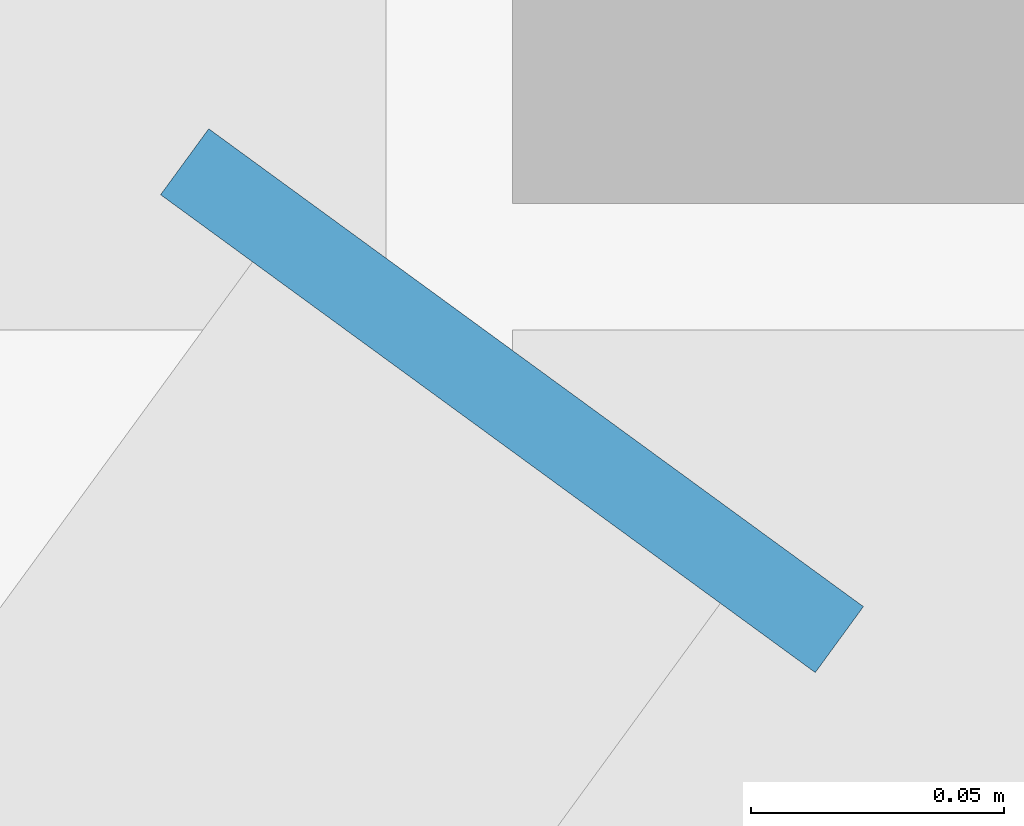
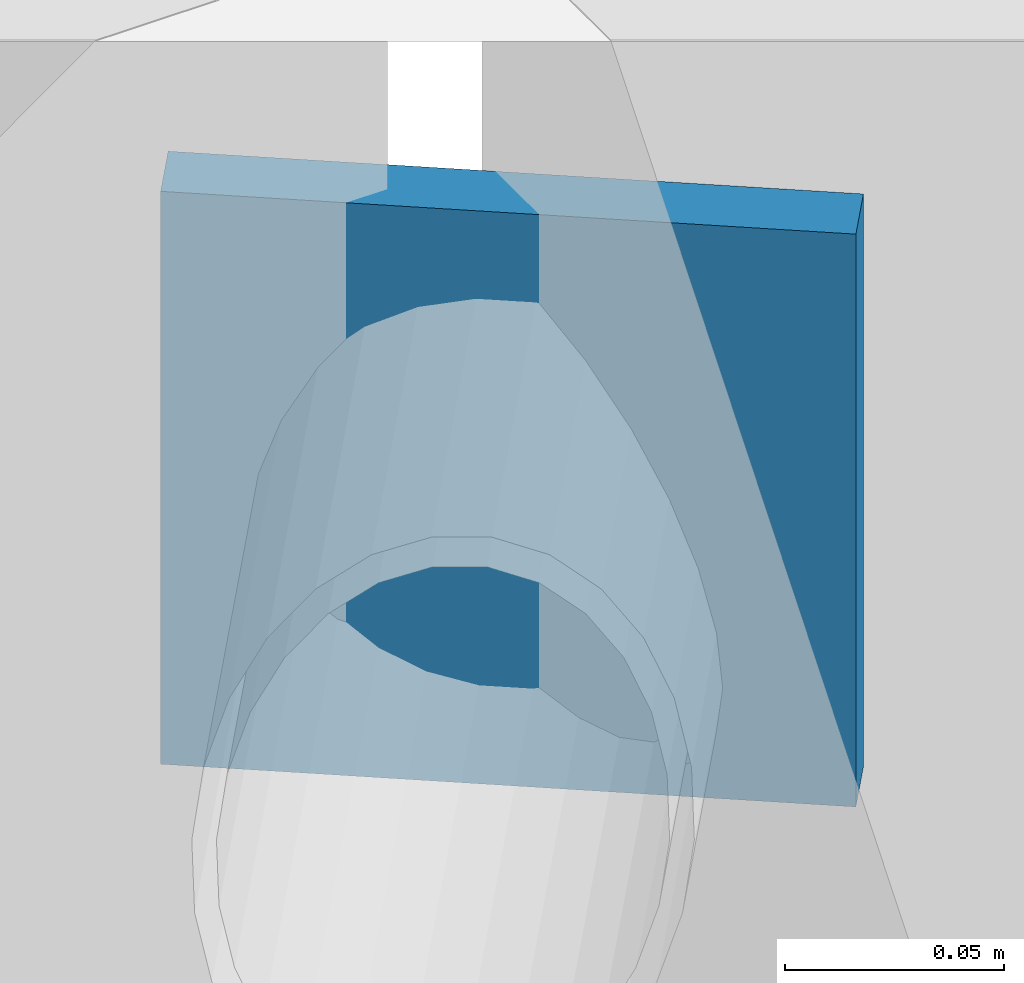
# One storey, part 53 of 95: 1 plate.
"""IFC4 building model written with IfcOpenShell, lengths in metres."""

from ifc_helpers import new_model, si_unit, derived_unit, direction, frame, origin, origin_2d, place, context, subcontext, project, spatial, rectangle, extrude, material, layer, layer_set, type_object, element, save


model = new_model("IFC4")

# Units and contexts
model_context = context("Model", 3, precision=1e-05, world=origin(), true_north=direction((0.0, 1.0)))
body_context = subcontext(model_context, "Body", "Model", "MODEL_VIEW")
ifc_project = project(units=[si_unit("LENGTHUNIT", "METRE"), si_unit("AREAUNIT", "SQUARE_METRE"), si_unit("VOLUMEUNIT", "CUBIC_METRE"), si_unit("PLANEANGLEUNIT", "RADIAN"), si_unit("MASSUNIT", "GRAM", prefix="KILO"), derived_unit("THERMALTRANSMITTANCEUNIT", [(si_unit("POWERUNIT", "WATT"), 1), (si_unit("LENGTHUNIT", "METRE"), -2), (si_unit("THERMODYNAMICTEMPERATUREUNIT", "KELVIN"), -1)])], contexts=[model_context])

# Site, building, storey
site_placement = place(None, origin())
site = spatial("IfcSite", under=ifc_project, at=site_placement, CompositionType="ELEMENT")
building_placement = place(site_placement, origin())
building = spatial("IfcBuilding", under=site, at=building_placement, Name="Braskholm Square Health Centre", CompositionType="ELEMENT")
storey_placement = place(building_placement, frame((0.0, 0.0, 4.800048828125)))
storey = spatial("IfcBuildingStorey", under=building, at=storey_placement, Name="L02", CompositionType="ELEMENT", Elevation=4.800048828125)

# Plate
ifc_material = material(Name="Steel ASTM A572 Grade 50", Category="steel")
ifc_layer = layer(ifc_material, 0.01611328125)
ifc_layer_set = layer_set([ifc_layer], Name="Steel ASTM A572 Grade 50")
plate_type = type_object("IfcPlateType", Name="CapPlateHSS152TN8", PredefinedType="USERDEFINED", material=ifc_layer_set)
plate_placement = place(storey_placement, frame((47.324951171875, 93.486083984375, -0.52978515625), z_axis=(0.0, 0.0, 1.0), x_axis=(-0.589534755664, -0.807743011027, 0.0)))
element("IfcPlate", 1, at=plate_placement, inside=storey, type_object=plate_type, Name="Hollow section end cap plate 0355", ObjectType="CAP_PLATE", PredefinedType="USERDEFINED", context=body_context, shape_type="SweptSolid", body=[
    extrude(rectangle(XDim=0.01611328125, YDim=0.159912109375, at=origin_2d()), origin(), (0.0, 0.0, 1.0), 0.159912109375),
])

save(model, "model.ifc")
